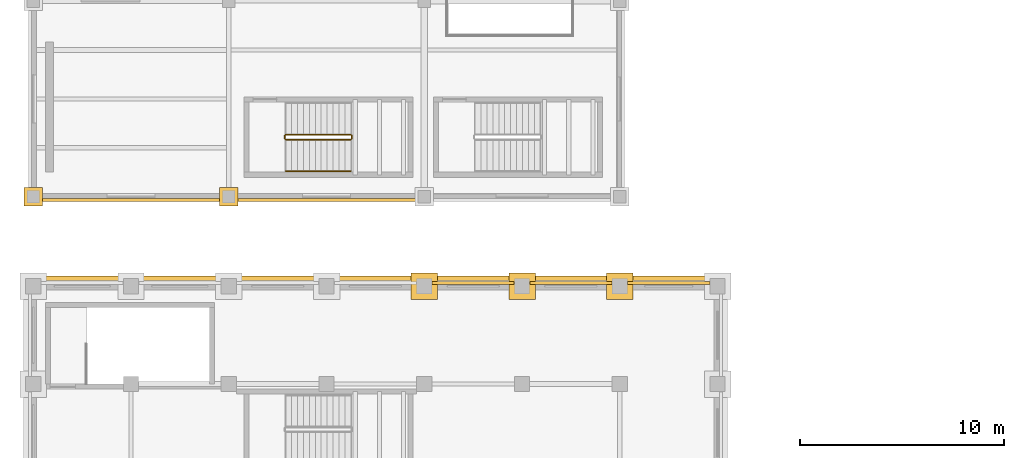
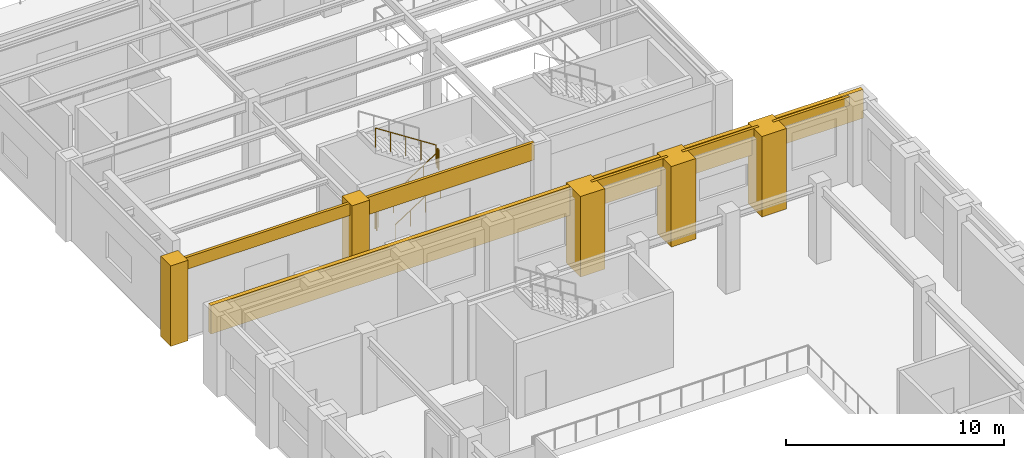
# One storey, part 41 of 46: 11 coverings, 5 railings.
"""IFC4 building model written with IfcOpenShell, lengths in metres."""

from ifc_helpers import new_model, si_unit, direction, frame, origin, origin_2d, place, context, subcontext, project, spatial, polyline, circle, outline, extrude, material, layer, layer_set, type_object, element, save


model = new_model("IFC4")

# Units and contexts
model_context = context("Model", 3, precision=1e-05, world=origin(), true_north=direction((0.0, 1.0)))
body_context = subcontext(model_context, "Body", "Model", "MODEL_VIEW")
ifc_project = project(units=[si_unit("LENGTHUNIT", "METRE"), si_unit("AREAUNIT", "SQUARE_METRE"), si_unit("VOLUMEUNIT", "CUBIC_METRE"), si_unit("PLANEANGLEUNIT", "RADIAN"), si_unit("MASSUNIT", "GRAM", prefix="KILO")], contexts=[model_context])

# Site, building, storey
site_placement = place(None, origin())
site = spatial("IfcSite", under=ifc_project, at=site_placement, CompositionType="ELEMENT")
building_placement = place(site_placement, origin())
building = spatial("IfcBuilding", under=site, at=building_placement, Name="Mavantir Sound Aquarium", CompositionType="ELEMENT")
storey_placement = place(building_placement, frame((0.0, 0.0, 15.300048828125)))
storey = spatial("IfcBuildingStorey", under=building, at=storey_placement, Name="L03", CompositionType="ELEMENT", Elevation=15.300048828125)

# Coverings
ifc_material_1 = material(Name="Honed Coral-Limestone & Glazed Terracotta Rainscreen Cladding", Category="masonry")
ifc_layer = layer(ifc_material_1, 0.06005859375, Name="Honed Coral-Limestone & Glazed Terracotta Rainscreen Cladding")
ifc_layer_set = layer_set([ifc_layer], Name="Honed Coral-Limestone & Glazed Terracotta Rainscreen Cladding")
covering_type = type_object("IfcCoveringType", Name="COV-CLAD-TC", PredefinedType="CLADDING", material=ifc_layer_set)
covering_1_placement = place(storey_placement, frame((0.0, 0.0, 4.02490234375)))
element("IfcCovering", 1, at=covering_1_placement, inside=storey, type_object=covering_type, Name="L03 Postmodern coral-limestone spandrel frieze 407", PredefinedType="CLADDING", context=body_context, shape_type="SweptSolid", body=[
    extrude(outline(polyline([(33.217041015625, 79.2900390625), (29.18310546875, 79.2900390625), (29.18310546875, 79.43994140625), (33.217041015625, 79.43994140625), (33.217041015625, 79.2900390625)])), origin(), (0.0, 0.0, 1.0), 0.47509765625),
])
covering_2_placement = place(storey_placement, frame((0.0, 0.0, 4.02490234375)))
element("IfcCovering", 2, at=covering_2_placement, inside=storey, type_object=covering_type, Name="L03 Postmodern coral-limestone spandrel frieze 408", PredefinedType="CLADDING", context=body_context, shape_type="SweptSolid", body=[
    extrude(outline(polyline([(28.4169921875, 79.2900390625), (24.383056640625, 79.2900390625), (24.383056640625, 79.43994140625), (28.4169921875, 79.43994140625), (28.4169921875, 79.2900390625)])), origin(), (0.0, 0.0, 1.0), 0.47509765625),
])
covering_3_placement = place(storey_placement, frame((0.0, 0.0, 4.02490234375)))
element("IfcCovering", 3, at=covering_3_placement, inside=storey, type_object=covering_type, Name="L03 Postmodern coral-limestone spandrel frieze 409", PredefinedType="CLADDING", context=body_context, shape_type="SweptSolid", body=[
    extrude(outline(polyline([(23.616943359375, 79.2900390625), (19.5830078125, 79.2900390625), (19.5830078125, 79.43994140625), (23.616943359375, 79.43994140625), (23.616943359375, 79.2900390625)])), origin(), (0.0, 0.0, 1.0), 0.47509765625),
])
covering_4_placement = place(storey_placement, frame((0.0, 0.0, 3.827880859375)))
element("IfcCovering", 4, at=covering_4_placement, inside=storey, type_object=covering_type, Name="L03 Postmodern coral-limestone spandrel frieze 472", PredefinedType="CLADDING", context=body_context, shape_type="SweptSolid", body=[
    extrude(outline(polyline([(0.30810546875, 83.510009765625), (9.2919921875, 83.510009765625), (9.2919921875, 83.360107421875), (0.30810546875, 83.360107421875), (0.30810546875, 83.510009765625)])), origin(), (0.0, 0.0, 1.0), 0.672119140625),
])
covering_5_placement = place(storey_placement, frame((0.0, 0.0, 3.52490234375)))
element("IfcCovering", 5, at=covering_5_placement, inside=storey, type_object=covering_type, Name="L03 Postmodern coral-limestone spandrel frieze 473", PredefinedType="CLADDING", context=body_context, shape_type="SweptSolid", body=[
    extrude(outline(polyline([(9.907958984375, 83.510009765625), (18.89208984375, 83.510009765625), (18.89208984375, 83.360107421875), (9.907958984375, 83.360107421875), (9.907958984375, 83.510009765625)])), origin(), (0.0, 0.0, 1.0), 0.97509765625),
])
covering_6_placement = place(storey_placement, origin())
element("IfcCovering", 6, at=covering_6_placement, inside=storey, type_object=covering_type, Name="L03 Postmodern coral-limestone pilaster casing 68", PredefinedType="CLADDING", context=body_context, shape_type="SweptSolid", body=[
    extrude(outline(polyline([(18.550048828125, 78.550048828125), (19.85009765625, 78.550048828125), (19.85009765625, 79.85009765625), (18.550048828125, 79.85009765625), (18.550048828125, 78.550048828125)])), origin(), (0.0, 0.0, 1.0), 4.5),
])
covering_7_placement = place(storey_placement, origin())
element("IfcCovering", 7, at=covering_7_placement, inside=storey, type_object=covering_type, Name="L03 Postmodern coral-limestone pilaster casing 76", PredefinedType="CLADDING", context=body_context, shape_type="SweptSolid", body=[
    extrude(outline(polyline([(23.35009765625, 78.550048828125), (24.64990234375, 78.550048828125), (24.64990234375, 79.85009765625), (23.35009765625, 79.85009765625), (23.35009765625, 78.550048828125)])), origin(), (0.0, 0.0, 1.0), 4.5),
])
covering_8_placement = place(storey_placement, origin())
element("IfcCovering", 8, at=covering_8_placement, inside=storey, type_object=covering_type, Name="L03 Postmodern coral-limestone pilaster casing 84", PredefinedType="CLADDING", context=body_context, shape_type="SweptSolid", body=[
    extrude(outline(polyline([(28.14990234375, 78.550048828125), (29.449951171875, 78.550048828125), (29.449951171875, 79.85009765625), (28.14990234375, 79.85009765625), (28.14990234375, 78.550048828125)])), origin(), (0.0, 0.0, 1.0), 4.5),
])
covering_9_placement = place(storey_placement, origin())
element("IfcCovering", 9, at=covering_9_placement, inside=storey, type_object=covering_type, Name="L03 Postmodern coral-limestone pilaster casing 346", PredefinedType="CLADDING", context=body_context, shape_type="SweptSolid", body=[
    extrude(outline(polyline([(-0.4599609375, 83.139892578125), (0.4599609375, 83.139892578125), (0.4599609375, 84.06005859375), (-0.4599609375, 84.06005859375), (-0.4599609375, 83.139892578125)])), origin(), (0.0, 0.0, 1.0), 4.5),
])
covering_10_placement = place(storey_placement, origin())
element("IfcCovering", 10, at=covering_10_placement, inside=storey, type_object=covering_type, Name="L03 Postmodern coral-limestone pilaster casing 369", PredefinedType="CLADDING", context=body_context, shape_type="SweptSolid", body=[
    extrude(outline(polyline([(9.139892578125, 83.139892578125), (10.06005859375, 83.139892578125), (10.06005859375, 84.06005859375), (9.139892578125, 84.06005859375), (9.139892578125, 83.139892578125)])), origin(), (0.0, 0.0, 1.0), 4.5),
])
covering_11_placement = place(storey_placement, frame((0.0, 0.0, 2.89990234375)))
element("IfcCovering", 11, at=covering_11_placement, inside=storey, type_object=covering_type, Name="L03 Postmodern coral-limestone tympanum closure V1-ENT-N", PredefinedType="CLADDING", context=body_context, shape_type="SweptSolid", body=[
    extrude(outline(polyline([(-0.449951171875, 79.47998046875), (34.050048828125, 79.47998046875), (34.050048828125, 79.699951171875), (-0.449951171875, 79.699951171875), (-0.449951171875, 79.47998046875)])), origin(), (0.0, 0.0, 1.0), 1.60009765625),
])

# Railings
ifc_material_2 = material(Name="Stainless Steel 316 and Laminated Glass Guardrail", Category="steel")
railing_type_1 = type_object("IfcRailingType", Name="RL-GUARD-110", PredefinedType="GUARDRAIL", material=ifc_material_2)
railing_1_placement = place(storey_placement, frame((12.39990234375, 86.39990234375, 0.1875)))
element("IfcRailing", 12, at=railing_1_placement, inside=storey, type_object=railing_type_1, Name="L03 ST5 stair guard 1", PredefinedType="GUARDRAIL", context=body_context, shape_type="SweptSolid", body=[
    extrude(circle(Radius=0.02392578125, at=origin_2d()), frame((0.0, 0.0, 1.076171875), z_axis=(0.839778728322, 0.0, 0.542928805147), x_axis=(0.0, 1.0, 0.0)), (0.0, 0.0, 1.0), 3.798828125),
    extrude(circle(Radius=0.02099609375, at=origin_2d()), origin(), (0.0, 0.0, 1.0), 1.052001953125),
    extrude(circle(Radius=0.02099609375, at=origin_2d()), frame((0.797607421875, 0.0, 0.515625)), (0.0, 0.0, 1.0), 1.052001953125),
    extrude(circle(Radius=0.02099609375, at=origin_2d()), frame((1.59521484375, 0.0, 1.03125)), (0.0, 0.0, 1.0), 1.052001953125),
    extrude(circle(Radius=0.02099609375, at=origin_2d()), frame((2.392578125, 0.0, 1.546875)), (0.0, 0.0, 1.0), 1.052001953125),
    extrude(circle(Radius=0.02099609375, at=origin_2d()), frame((3.190185546875, 0.0, 2.0625)), (0.0, 0.0, 1.0), 1.052001953125),
])
railing_2_placement = place(storey_placement, frame((15.639892578125, 86.449951171875, 2.25)))
element("IfcRailing", 13, at=railing_2_placement, inside=storey, type_object=railing_type_1, Name="L03 ST5 stair guard 2", PredefinedType="GUARDRAIL", context=body_context, shape_type="SweptSolid", body=[
    extrude(circle(Radius=0.02392578125, at=origin_2d()), frame((0.0, 0.0, 1.076171875), z_axis=(0.0, 1.0, 0.0), x_axis=(-1.0, 0.0, 0.0)), (0.0, 0.0, 1.0), 0.150146484375),
    extrude(circle(Radius=0.02099609375, at=origin_2d()), origin(), (0.0, 0.0, 1.0), 1.052001953125),
    extrude(circle(Radius=0.02099609375, at=origin_2d()), frame((0.0, 0.150146484375, 0.0)), (0.0, 0.0, 1.0), 1.052001953125),
])
railing_3_placement = place(storey_placement, frame((15.590087890625, 86.64990234375, 2.4375)))
element("IfcRailing", 14, at=railing_3_placement, inside=storey, type_object=railing_type_1, Name="L03 ST5 stair guard 3", PredefinedType="GUARDRAIL", context=body_context, shape_type="SweptSolid", body=[
    extrude(circle(Radius=0.02392578125, at=origin_2d()), frame((0.0, 0.0, 1.076171875), z_axis=(-0.839778728322, 0.0, 0.542928805147), x_axis=(0.0, -1.0, 0.0)), (0.0, 0.0, 1.0), 3.798828125),
    extrude(circle(Radius=0.02099609375, at=origin_2d()), origin(), (0.0, 0.0, 1.0), 1.052001953125),
    extrude(circle(Radius=0.02099609375, at=origin_2d()), frame((-0.797607421875, 0.0, 0.515625)), (0.0, 0.0, 1.0), 1.052001953125),
    extrude(circle(Radius=0.02099609375, at=origin_2d()), frame((-1.59521484375, 0.0, 1.03125)), (0.0, 0.0, 1.0), 1.052001953125),
    extrude(circle(Radius=0.02099609375, at=origin_2d()), frame((-2.392578125, 0.0, 1.546875)), (0.0, 0.0, 1.0), 1.052001953125),
    extrude(circle(Radius=0.02099609375, at=origin_2d()), frame((-3.190185546875, 0.0, 2.0625)), (0.0, 0.0, 1.0), 1.052001953125),
])
railing_4_placement = place(storey_placement, frame((12.35009765625, 86.449951171875, 0.0)))
element("IfcRailing", 15, at=railing_4_placement, inside=storey, type_object=railing_type_1, Name="L03 ST5 stair guard 4", PredefinedType="GUARDRAIL", context=body_context, shape_type="SweptSolid", body=[
    extrude(circle(Radius=0.02392578125, at=origin_2d()), frame((0.0, 0.0, 1.076171875), z_axis=(0.0, 1.0, 0.0), x_axis=(-1.0, 0.0, 0.0)), (0.0, 0.0, 1.0), 0.150146484375),
    extrude(circle(Radius=0.02099609375, at=origin_2d()), origin(), (0.0, 0.0, 1.0), 1.052001953125),
    extrude(circle(Radius=0.02099609375, at=origin_2d()), frame((0.0, 0.150146484375, 0.0)), (0.0, 0.0, 1.0), 1.052001953125),
])
ifc_material_3 = material(Name="Brushed Stainless Steel 316 Handrail", Category="steel")
railing_type_2 = type_object("IfcRailingType", Name="RL-HR-90", PredefinedType="HANDRAIL", material=ifc_material_3)
railing_5_placement = place(storey_placement, frame((12.39990234375, 84.85009765625, 0.37255859375)))
element("IfcRailing", 16, at=railing_5_placement, inside=storey, type_object=railing_type_2, Name="L03 ST5 stair handrail 1", PredefinedType="HANDRAIL", context=body_context, shape_type="SweptSolid", body=[
    extrude(circle(Radius=0.02392578125, at=origin_2d()), frame((0.0, 0.0, 0.89111328125), z_axis=(0.839778728322, 0.0, 0.542928805147), x_axis=(0.0, 1.0, 0.0)), (0.0, 0.0, 1.0), 3.798828125),
    extrude(circle(Radius=0.02099609375, at=origin_2d()), origin(), (0.0, 0.0, 1.0), 0.866943359375),
    extrude(circle(Radius=0.02099609375, at=origin_2d()), frame((0.797607421875, 0.0, 0.515625)), (0.0, 0.0, 1.0), 0.866943359375),
    extrude(circle(Radius=0.02099609375, at=origin_2d()), frame((1.59521484375, 0.0, 1.03125)), (0.0, 0.0, 1.0), 0.866943359375),
    extrude(circle(Radius=0.02099609375, at=origin_2d()), frame((2.392578125, 0.0, 1.546875)), (0.0, 0.0, 1.0), 0.866943359375),
    extrude(circle(Radius=0.02099609375, at=origin_2d()), frame((3.190185546875, 0.0, 2.0625)), (0.0, 0.0, 1.0), 0.866943359375),
])

save(model, "model.ifc")
